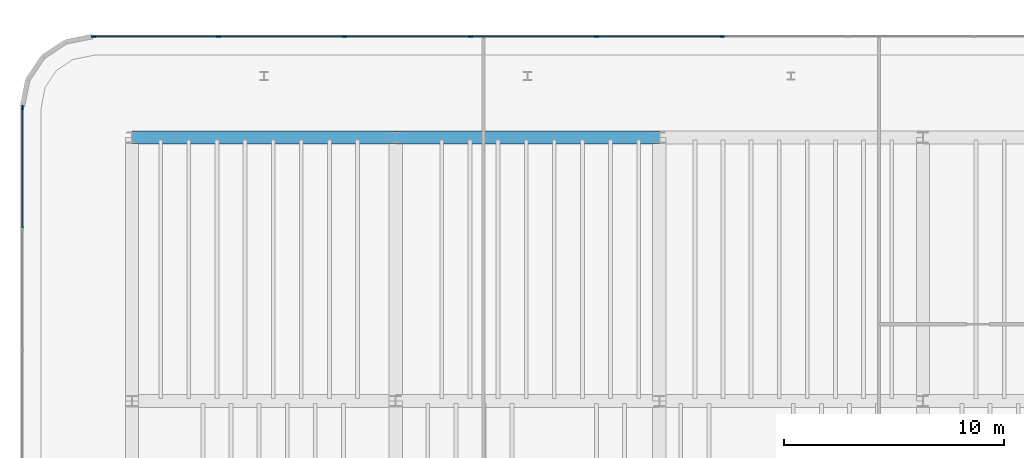
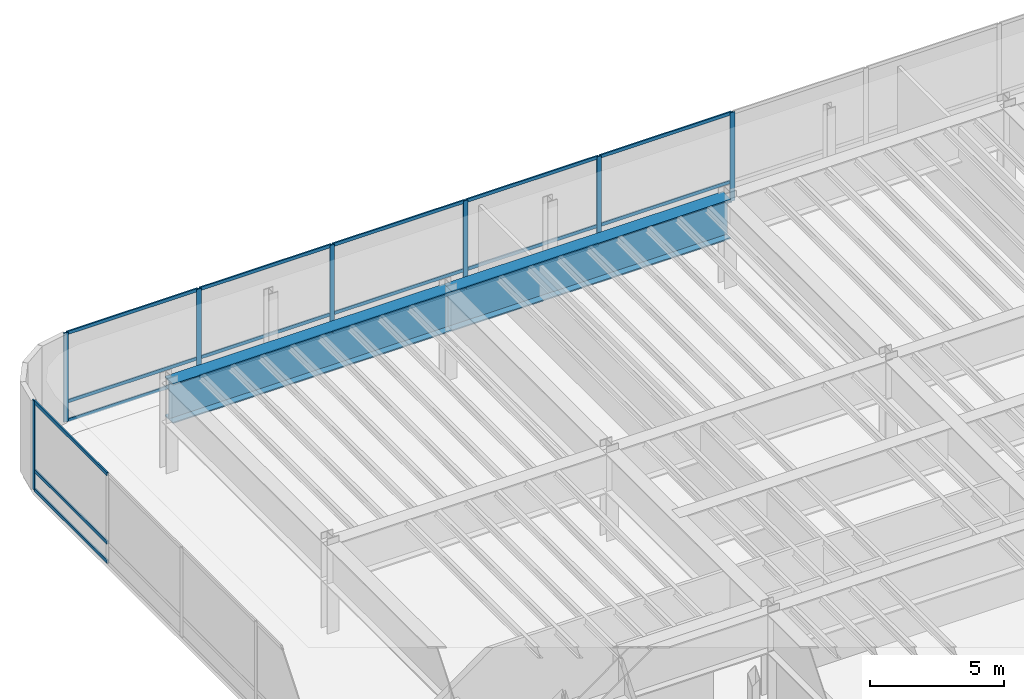
# One storey, part 9 of 19: 25 members, 2 beams, 2 elements without a shape of their own.
"""IFC4 building model written with IfcOpenShell, lengths in metres."""

from ifc_helpers import new_model, si_unit, direction, frame, origin, origin_2d, place, context, subcontext, project, spatial, rectangle, i_section, extrude, source, transform, mapped, material, layer, layer_set, material_profile, profile_set, type_object, element, aggregate, save


model = new_model("IFC4")

# Units and contexts
model_context = context("Model", 3, precision=1e-05, world=origin(), true_north=direction((0.0, 1.0)))
body_context = subcontext(model_context, "Body", "Model", "MODEL_VIEW")
ifc_project = project(units=[si_unit("LENGTHUNIT", "METRE"), si_unit("AREAUNIT", "SQUARE_METRE"), si_unit("VOLUMEUNIT", "CUBIC_METRE"), si_unit("PLANEANGLEUNIT", "RADIAN"), si_unit("MASSUNIT", "GRAM", prefix="KILO")], contexts=[model_context])

# Site, building, storey
site_placement = place(None, origin())
site = spatial("IfcSite", under=ifc_project, at=site_placement, CompositionType="ELEMENT")
building_placement = place(site_placement, origin())
building = spatial("IfcBuilding", under=site, at=building_placement, Name="Brelvock Crest Care Tower", CompositionType="ELEMENT")
storey_placement = place(building_placement, frame((0.0, 0.0, 18.360107421875)))
storey = spatial("IfcBuildingStorey", under=building, at=storey_placement, Name="L04", CompositionType="ELEMENT", Elevation=18.360107421875)

# Beams
ifc_material_1 = material(Name="Steel Grade 350", Category="steel")
ifc_material_profile_1 = material_profile(ifc_material_1, i_section(OverallWidth=0.60009765625, OverallDepth=1.800048828125, WebThickness=0.028076171875, FlangeThickness=0.052001953125, at=origin_2d()), Name="1800TG740")
ifc_profile_set_1 = profile_set([ifc_material_profile_1], Name="Steel Grade 350")
beam_type = type_object("IfcBeamType", Name="BM-TG1", PredefinedType="USERDEFINED", material=ifc_profile_set_1)
shared_shape_1 = source(origin(), body_context, "Body", "SweptSolid", [
    extrude(i_section(OverallWidth=0.60009765625, OverallDepth=1.800048828125, WebThickness=0.028076171875, FlangeThickness=0.052001953125, at=origin_2d()), origin(), (0.0, 0.0, 1.0), 12.0),
])
for number, where, z_axis, x_axis, name in (
    (1, (12.0, 54.0, 3.139892578125), (1.0, 0.0, 0.0), (0.0, 1.0, 0.0), "BM-PODX-L04-54-12"),
    (2, (24.0, 54.0, 3.139892578125), (1.0, 0.0, 0.0), (0.0, 1.0, 0.0), "BM-PODX-L04-54-24"),
):
    element("IfcBeam", number, at=place(storey_placement, frame(where, z_axis=z_axis, x_axis=x_axis)), inside=storey, type_object=beam_type, Name=name, ObjectType="GIRDER", PredefinedType="USERDEFINED", context=body_context, shape_type="MappedRepresentation", body=[
        mapped(shared_shape_1, transform((0.0, 0.0, 0.0), x_axis=(1.0, 0.0, 0.0), y_axis=(0.0, 1.0, 0.0), z_axis=(0.0, 0.0, 1.0), scale=1.0)),
    ])

# Curtain wall, members
ifc_material_2 = material(Name="Dark Glass Double Glazed Low-E", Category="glass")
ifc_layer = layer(ifc_material_2, 0.179931640625, Name="CWS-1")
ifc_layer_set = layer_set([ifc_layer], Name="Dark Glass Double Glazed Low-E")
curtain_wall_type = type_object("IfcCurtainWallType", Name="CWS-1", PredefinedType="NOTDEFINED", material=ifc_layer_set)
curtain_wall_1_placement = place(storey_placement, origin())
curtain_wall_1 = element("IfcCurtainWall", 3, at=curtain_wall_1_placement, inside=storey, type_object=curtain_wall_type, Name="L04 Curtain Wall E04", PredefinedType="NOTDEFINED")
ifc_material_3 = material(Name="Aluminium 6063-T6", Category="aluminium")
ifc_material_profile_2 = material_profile(ifc_material_3, rectangle(XDim=0.06494140625, YDim=0.14990234375, at=origin_2d()), Name="ALU65x150")
ifc_profile_set_2 = profile_set([ifc_material_profile_2], Name="Aluminium 6063-T6")
member_type_1 = type_object("IfcMemberType", Name="CWT-1", PredefinedType="USERDEFINED", material=ifc_profile_set_2)
shared_shape_2 = source(origin(), body_context, "Body", "SweptSolid", [
    extrude(rectangle(XDim=0.06494140625, YDim=0.14990234375, at=origin_2d()), origin(), (0.0, 0.0, 1.0), 5.435791015625),
])
member_1_placement = place(storey_placement, frame((7.0, 49.899169921875, 0.032470703125), z_axis=(0.0, 1.0, 0.0), x_axis=(-1.0, 0.0, 0.0)))
member_1 = element("IfcMember", 4, at=member_1_placement, type_object=member_type_1, Name="CW-1 transom 9.1", ObjectType="TRANSOM", PredefinedType="USERDEFINED", context=body_context, shape_type="MappedRepresentation", body=[
    mapped(shared_shape_2, transform((0.0, 0.0, 0.0), x_axis=(1.0, 0.0, 0.0), y_axis=(0.0, 1.0, 0.0), z_axis=(0.0, 0.0, 1.0), scale=1.0)),
])
member_2_placement = place(storey_placement, frame((7.0, 49.899169921875, 0.89990234375), z_axis=(0.0, 1.0, 0.0), x_axis=(-1.0, 0.0, 0.0)))
member_2 = element("IfcMember", 5, at=member_2_placement, type_object=member_type_1, Name="CW-1 transom 9.2", ObjectType="TRANSOM", PredefinedType="USERDEFINED", context=body_context, shape_type="MappedRepresentation", body=[
    mapped(shared_shape_2, transform((0.0, 0.0, 0.0), x_axis=(1.0, 0.0, 0.0), y_axis=(0.0, 1.0, 0.0), z_axis=(0.0, 0.0, 1.0), scale=1.0)),
])
member_3_placement = place(storey_placement, frame((7.0, 49.899169921875, 4.00732421875), z_axis=(0.0, 1.0, 0.0), x_axis=(-1.0, 0.0, 0.0)))
member_3 = element("IfcMember", 6, at=member_3_placement, type_object=member_type_1, Name="CW-1 transom 9.3", ObjectType="TRANSOM", PredefinedType="USERDEFINED", context=body_context, shape_type="MappedRepresentation", body=[
    mapped(shared_shape_2, transform((0.0, 0.0, 0.0), x_axis=(1.0, 0.0, 0.0), y_axis=(0.0, 1.0, 0.0), z_axis=(0.0, 0.0, 1.0), scale=1.0)),
])

curtain_wall_2_placement = place(storey_placement, origin())
curtain_wall_2 = element("IfcCurtainWall", 7, at=curtain_wall_2_placement, inside=storey, type_object=curtain_wall_type, Name="L04 Curtain Wall E09", PredefinedType="NOTDEFINED")
shared_shape_3 = source(origin(), body_context, "Body", "SweptSolid", [
    extrude(rectangle(XDim=0.06494140625, YDim=0.14990234375, at=origin_2d()), origin(), (0.0, 0.0, 1.0), 5.635986328125),
])
member_4_placement = place(storey_placement, frame((10.264892578125, 58.60009765625, 0.032470703125), z_axis=(1.0, 0.0, 0.0), x_axis=(0.0, 1.0, 0.0)))
member_4 = element("IfcMember", 8, at=member_4_placement, type_object=member_type_1, Name="CW-1 transom 1.1", ObjectType="TRANSOM", PredefinedType="USERDEFINED", context=body_context, shape_type="MappedRepresentation", body=[
    mapped(shared_shape_3, transform((0.0, 0.0, 0.0), x_axis=(1.0, 0.0, 0.0), y_axis=(0.0, 1.0, 0.0), z_axis=(0.0, 0.0, 1.0), scale=1.0)),
])
member_5_placement = place(storey_placement, frame((10.264892578125, 58.60009765625, 0.89990234375), z_axis=(1.0, 0.0, 0.0), x_axis=(0.0, 1.0, 0.0)))
member_5 = element("IfcMember", 9, at=member_5_placement, type_object=member_type_1, Name="CW-1 transom 1.2", ObjectType="TRANSOM", PredefinedType="USERDEFINED", context=body_context, shape_type="MappedRepresentation", body=[
    mapped(shared_shape_3, transform((0.0, 0.0, 0.0), x_axis=(1.0, 0.0, 0.0), y_axis=(0.0, 1.0, 0.0), z_axis=(0.0, 0.0, 1.0), scale=1.0)),
])
member_6_placement = place(storey_placement, frame((10.264892578125, 58.60009765625, 4.00732421875), z_axis=(1.0, 0.0, 0.0), x_axis=(0.0, 1.0, 0.0)))
member_6 = element("IfcMember", 10, at=member_6_placement, type_object=member_type_1, Name="CW-1 transom 1.3", ObjectType="TRANSOM", PredefinedType="USERDEFINED", context=body_context, shape_type="MappedRepresentation", body=[
    mapped(shared_shape_3, transform((0.0, 0.0, 0.0), x_axis=(1.0, 0.0, 0.0), y_axis=(0.0, 1.0, 0.0), z_axis=(0.0, 0.0, 1.0), scale=1.0)),
])
shared_shape_4 = source(origin(), body_context, "Body", "SweptSolid", [
    extrude(rectangle(XDim=0.06494140625, YDim=0.14990234375, at=origin_2d()), origin(), (0.0, 0.0, 1.0), 5.66845703125),
])
member_7_placement = place(storey_placement, frame((15.9658203125, 58.60009765625, 0.032470703125), z_axis=(1.0, 0.0, 0.0), x_axis=(0.0, 1.0, 0.0)))
member_7 = element("IfcMember", 11, at=member_7_placement, type_object=member_type_1, Name="CW-1 transom 2.1", ObjectType="TRANSOM", PredefinedType="USERDEFINED", context=body_context, shape_type="MappedRepresentation", body=[
    mapped(shared_shape_4, transform((0.0, 0.0, 0.0), x_axis=(1.0, 0.0, 0.0), y_axis=(0.0, 1.0, 0.0), z_axis=(0.0, 0.0, 1.0), scale=1.0)),
])
member_8_placement = place(storey_placement, frame((15.9658203125, 58.60009765625, 0.89990234375), z_axis=(1.0, 0.0, 0.0), x_axis=(0.0, 1.0, 0.0)))
member_8 = element("IfcMember", 12, at=member_8_placement, type_object=member_type_1, Name="CW-1 transom 2.2", ObjectType="TRANSOM", PredefinedType="USERDEFINED", context=body_context, shape_type="MappedRepresentation", body=[
    mapped(shared_shape_4, transform((0.0, 0.0, 0.0), x_axis=(1.0, 0.0, 0.0), y_axis=(0.0, 1.0, 0.0), z_axis=(0.0, 0.0, 1.0), scale=1.0)),
])
member_9_placement = place(storey_placement, frame((15.9658203125, 58.60009765625, 4.00732421875), z_axis=(1.0, 0.0, 0.0), x_axis=(0.0, 1.0, 0.0)))
member_9 = element("IfcMember", 13, at=member_9_placement, type_object=member_type_1, Name="CW-1 transom 2.3", ObjectType="TRANSOM", PredefinedType="USERDEFINED", context=body_context, shape_type="MappedRepresentation", body=[
    mapped(shared_shape_4, transform((0.0, 0.0, 0.0), x_axis=(1.0, 0.0, 0.0), y_axis=(0.0, 1.0, 0.0), z_axis=(0.0, 0.0, 1.0), scale=1.0)),
])
member_10_placement = place(storey_placement, frame((33.165771484375, 58.60009765625, 0.032470703125), z_axis=(1.0, 0.0, 0.0), x_axis=(0.0, 1.0, 0.0)))
member_10 = element("IfcMember", 14, at=member_10_placement, type_object=member_type_1, Name="CW-1 transom 5.1", ObjectType="TRANSOM", PredefinedType="USERDEFINED", context=body_context, shape_type="MappedRepresentation", body=[
    mapped(shared_shape_4, transform((0.0, 0.0, 0.0), x_axis=(1.0, 0.0, 0.0), y_axis=(0.0, 1.0, 0.0), z_axis=(0.0, 0.0, 1.0), scale=1.0)),
])
member_11_placement = place(storey_placement, frame((33.165771484375, 58.60009765625, 0.89990234375), z_axis=(1.0, 0.0, 0.0), x_axis=(0.0, 1.0, 0.0)))
member_11 = element("IfcMember", 15, at=member_11_placement, type_object=member_type_1, Name="CW-1 transom 5.2", ObjectType="TRANSOM", PredefinedType="USERDEFINED", context=body_context, shape_type="MappedRepresentation", body=[
    mapped(shared_shape_4, transform((0.0, 0.0, 0.0), x_axis=(1.0, 0.0, 0.0), y_axis=(0.0, 1.0, 0.0), z_axis=(0.0, 0.0, 1.0), scale=1.0)),
])
member_12_placement = place(storey_placement, frame((33.165771484375, 58.60009765625, 4.00732421875), z_axis=(1.0, 0.0, 0.0), x_axis=(0.0, 1.0, 0.0)))
member_12 = element("IfcMember", 16, at=member_12_placement, type_object=member_type_1, Name="CW-1 transom 5.3", ObjectType="TRANSOM", PredefinedType="USERDEFINED", context=body_context, shape_type="MappedRepresentation", body=[
    mapped(shared_shape_4, transform((0.0, 0.0, 0.0), x_axis=(1.0, 0.0, 0.0), y_axis=(0.0, 1.0, 0.0), z_axis=(0.0, 0.0, 1.0), scale=1.0)),
])
shared_shape_5 = source(origin(), body_context, "Body", "SweptSolid", [
    extrude(rectangle(XDim=0.06494140625, YDim=0.14990234375, at=origin_2d()), origin(), (0.0, 0.0, 1.0), 5.668212890625),
])
member_13_placement = place(storey_placement, frame((21.69921875, 58.60009765625, 0.032470703125), z_axis=(1.0, 0.0, 0.0), x_axis=(0.0, 1.0, 0.0)))
member_13 = element("IfcMember", 17, at=member_13_placement, type_object=member_type_1, Name="CW-1 transom 3.1", ObjectType="TRANSOM", PredefinedType="USERDEFINED", context=body_context, shape_type="MappedRepresentation", body=[
    mapped(shared_shape_5, transform((0.0, 0.0, 0.0), x_axis=(1.0, 0.0, 0.0), y_axis=(0.0, 1.0, 0.0), z_axis=(0.0, 0.0, 1.0), scale=1.0)),
])
member_14_placement = place(storey_placement, frame((21.69921875, 58.60009765625, 0.89990234375), z_axis=(1.0, 0.0, 0.0), x_axis=(0.0, 1.0, 0.0)))
member_14 = element("IfcMember", 18, at=member_14_placement, type_object=member_type_1, Name="CW-1 transom 3.2", ObjectType="TRANSOM", PredefinedType="USERDEFINED", context=body_context, shape_type="MappedRepresentation", body=[
    mapped(shared_shape_5, transform((0.0, 0.0, 0.0), x_axis=(1.0, 0.0, 0.0), y_axis=(0.0, 1.0, 0.0), z_axis=(0.0, 0.0, 1.0), scale=1.0)),
])
member_15_placement = place(storey_placement, frame((21.69921875, 58.60009765625, 4.00732421875), z_axis=(1.0, 0.0, 0.0), x_axis=(0.0, 1.0, 0.0)))
member_15 = element("IfcMember", 19, at=member_15_placement, type_object=member_type_1, Name="CW-1 transom 3.3", ObjectType="TRANSOM", PredefinedType="USERDEFINED", context=body_context, shape_type="MappedRepresentation", body=[
    mapped(shared_shape_5, transform((0.0, 0.0, 0.0), x_axis=(1.0, 0.0, 0.0), y_axis=(0.0, 1.0, 0.0), z_axis=(0.0, 0.0, 1.0), scale=1.0)),
])
member_16_placement = place(storey_placement, frame((27.4326171875, 58.60009765625, 0.032470703125), z_axis=(1.0, 0.0, 0.0), x_axis=(0.0, 1.0, 0.0)))
member_16 = element("IfcMember", 20, at=member_16_placement, type_object=member_type_1, Name="CW-1 transom 4.1", ObjectType="TRANSOM", PredefinedType="USERDEFINED", context=body_context, shape_type="MappedRepresentation", body=[
    mapped(shared_shape_5, transform((0.0, 0.0, 0.0), x_axis=(1.0, 0.0, 0.0), y_axis=(0.0, 1.0, 0.0), z_axis=(0.0, 0.0, 1.0), scale=1.0)),
])
member_17_placement = place(storey_placement, frame((27.4326171875, 58.60009765625, 0.89990234375), z_axis=(1.0, 0.0, 0.0), x_axis=(0.0, 1.0, 0.0)))
member_17 = element("IfcMember", 21, at=member_17_placement, type_object=member_type_1, Name="CW-1 transom 4.2", ObjectType="TRANSOM", PredefinedType="USERDEFINED", context=body_context, shape_type="MappedRepresentation", body=[
    mapped(shared_shape_5, transform((0.0, 0.0, 0.0), x_axis=(1.0, 0.0, 0.0), y_axis=(0.0, 1.0, 0.0), z_axis=(0.0, 0.0, 1.0), scale=1.0)),
])
member_18_placement = place(storey_placement, frame((27.4326171875, 58.60009765625, 4.00732421875), z_axis=(1.0, 0.0, 0.0), x_axis=(0.0, 1.0, 0.0)))
member_18 = element("IfcMember", 22, at=member_18_placement, type_object=member_type_1, Name="CW-1 transom 4.3", ObjectType="TRANSOM", PredefinedType="USERDEFINED", context=body_context, shape_type="MappedRepresentation", body=[
    mapped(shared_shape_5, transform((0.0, 0.0, 0.0), x_axis=(1.0, 0.0, 0.0), y_axis=(0.0, 1.0, 0.0), z_axis=(0.0, 0.0, 1.0), scale=1.0)),
])

# Member
ifc_material_profile_3 = material_profile(ifc_material_3, rectangle(XDim=0.06494140625, YDim=0.199951171875, at=origin_2d()), Name="ALU65x200")
ifc_profile_set_3 = profile_set([ifc_material_profile_3], Name="Aluminium 6063-T6")
member_type_2 = type_object("IfcMemberType", Name="CWM-1", PredefinedType="MULLION", material=ifc_profile_set_3)
shared_shape_6 = source(origin(), body_context, "Body", "SweptSolid", [
    extrude(rectangle(XDim=0.06494140625, YDim=0.199951171875, at=origin_2d()), origin(), (0.0, 0.0, 1.0), 4.039794921875),
])
member_19_placement = place(storey_placement, frame((7.0, 55.367431640625, 0.0), z_axis=(0.0, 0.0, 1.0), x_axis=(-1.0, 0.0, 0.0)))
member_19 = element("IfcMember", 23, at=member_19_placement, type_object=member_type_2, Name="CW-1 mullion 10", PredefinedType="MULLION", context=body_context, shape_type="MappedRepresentation", body=[
    mapped(shared_shape_6, transform((0.0, 0.0, 0.0), x_axis=(1.0, 0.0, 0.0), y_axis=(0.0, 1.0, 0.0), z_axis=(0.0, 0.0, 1.0), scale=1.0)),
])

aggregate(curtain_wall_1, [member_19, member_1, member_2, member_3])

member_20_placement = place(storey_placement, frame((10.232421875, 58.60009765625, 0.0), z_axis=(0.0, 0.0, 1.0), x_axis=(0.0, 1.0, 0.0)))
member_20 = element("IfcMember", 24, at=member_20_placement, type_object=member_type_2, Name="CW-1 mullion 1", PredefinedType="MULLION", context=body_context, shape_type="MappedRepresentation", body=[
    mapped(shared_shape_6, transform((0.0, 0.0, 0.0), x_axis=(1.0, 0.0, 0.0), y_axis=(0.0, 1.0, 0.0), z_axis=(0.0, 0.0, 1.0), scale=1.0)),
])

member_21_placement = place(storey_placement, frame((15.933349609375, 58.60009765625, 0.0), z_axis=(0.0, 0.0, 1.0), x_axis=(0.0, 1.0, 0.0)))
member_21 = element("IfcMember", 25, at=member_21_placement, type_object=member_type_2, Name="CW-1 mullion 2", PredefinedType="MULLION", context=body_context, shape_type="MappedRepresentation", body=[
    mapped(shared_shape_6, transform((0.0, 0.0, 0.0), x_axis=(1.0, 0.0, 0.0), y_axis=(0.0, 1.0, 0.0), z_axis=(0.0, 0.0, 1.0), scale=1.0)),
])

member_22_placement = place(storey_placement, frame((21.666748046875, 58.60009765625, 0.0), z_axis=(0.0, 0.0, 1.0), x_axis=(0.0, 1.0, 0.0)))
member_22 = element("IfcMember", 26, at=member_22_placement, type_object=member_type_2, Name="CW-1 mullion 3", PredefinedType="MULLION", context=body_context, shape_type="MappedRepresentation", body=[
    mapped(shared_shape_6, transform((0.0, 0.0, 0.0), x_axis=(1.0, 0.0, 0.0), y_axis=(0.0, 1.0, 0.0), z_axis=(0.0, 0.0, 1.0), scale=1.0)),
])

member_23_placement = place(storey_placement, frame((27.39990234375, 58.60009765625, 0.0), z_axis=(0.0, 0.0, 1.0), x_axis=(0.0, 1.0, 0.0)))
member_23 = element("IfcMember", 27, at=member_23_placement, type_object=member_type_2, Name="CW-1 mullion 4", PredefinedType="MULLION", context=body_context, shape_type="MappedRepresentation", body=[
    mapped(shared_shape_6, transform((0.0, 0.0, 0.0), x_axis=(1.0, 0.0, 0.0), y_axis=(0.0, 1.0, 0.0), z_axis=(0.0, 0.0, 1.0), scale=1.0)),
])

member_24_placement = place(storey_placement, frame((33.13330078125, 58.60009765625, 0.0), z_axis=(0.0, 0.0, 1.0), x_axis=(0.0, 1.0, 0.0)))
member_24 = element("IfcMember", 28, at=member_24_placement, type_object=member_type_2, Name="CW-1 mullion 5", PredefinedType="MULLION", context=body_context, shape_type="MappedRepresentation", body=[
    mapped(shared_shape_6, transform((0.0, 0.0, 0.0), x_axis=(1.0, 0.0, 0.0), y_axis=(0.0, 1.0, 0.0), z_axis=(0.0, 0.0, 1.0), scale=1.0)),
])

member_25_placement = place(storey_placement, frame((38.86669921875, 58.60009765625, 0.0), z_axis=(0.0, 0.0, 1.0), x_axis=(0.0, 1.0, 0.0)))
member_25 = element("IfcMember", 29, at=member_25_placement, type_object=member_type_2, Name="CW-1 mullion 6", PredefinedType="MULLION", context=body_context, shape_type="MappedRepresentation", body=[
    mapped(shared_shape_6, transform((0.0, 0.0, 0.0), x_axis=(1.0, 0.0, 0.0), y_axis=(0.0, 1.0, 0.0), z_axis=(0.0, 0.0, 1.0), scale=1.0)),
])

aggregate(curtain_wall_2, [member_20, member_21, member_22, member_23, member_24, member_25, member_4, member_5, member_6, member_7, member_8, member_9, member_13, member_14, member_15, member_16, member_17, member_18, member_10, member_11, member_12])

save(model, "model.ifc")
